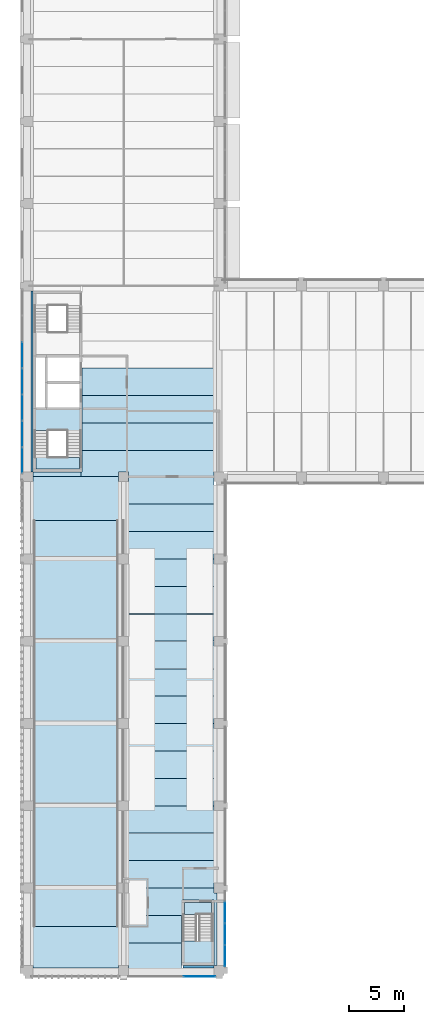
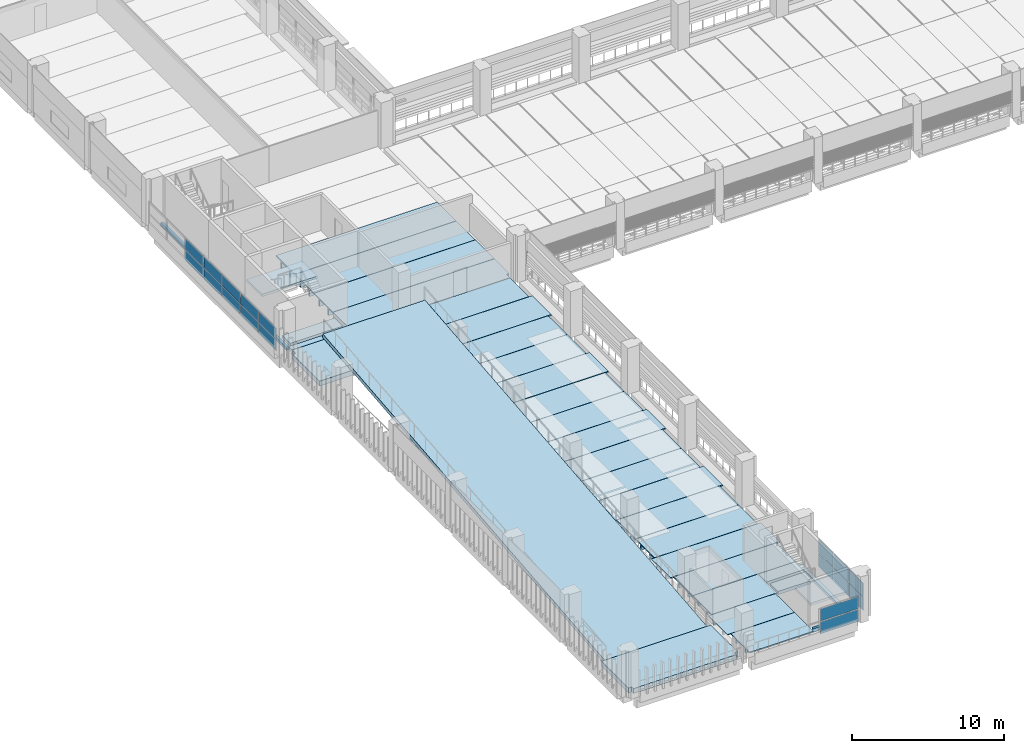
# One storey, part 21 of 57: 33 slabs, 18 plates, 5 elements without a shape of their own.
"""IFC4 building model written with IfcOpenShell, lengths in metres."""

from ifc_helpers import new_model, si_unit, direction, frame, origin, origin_2d, place, context, subcontext, project, spatial, polyline, rectangle, outline, extrude, material, layer, layer_set, material_profile, profile_set, type_object, element, aggregate, save


model = new_model("IFC4")

# Units and contexts
model_context = context("Model", 3, precision=1e-05, world=origin(), true_north=direction((0.0, 1.0)))
body_context = subcontext(model_context, "Body", "Model", "MODEL_VIEW")
ifc_project = project(units=[si_unit("LENGTHUNIT", "METRE"), si_unit("AREAUNIT", "SQUARE_METRE"), si_unit("VOLUMEUNIT", "CUBIC_METRE"), si_unit("PLANEANGLEUNIT", "RADIAN"), si_unit("MASSUNIT", "GRAM", prefix="KILO")], contexts=[model_context])

# Site, building, storey
site_placement = place(None, origin())
site = spatial("IfcSite", under=ifc_project, at=site_placement, CompositionType="ELEMENT")
building_placement = place(site_placement, origin())
building = spatial("IfcBuilding", under=site, at=building_placement, Name="Cour d'Honneur Mobility Palace", CompositionType="ELEMENT")
storey_placement = place(building_placement, frame((0.0, 0.0, 8.199951171875)))
storey = spatial("IfcBuildingStorey", under=building, at=storey_placement, Name="L02", CompositionType="ELEMENT", Elevation=8.199951171875)

# Slabs
ifc_material_1 = material(Name="Concrete C50", Category="concrete")
ifc_layer_1 = layer(ifc_material_1, 0.25)
ifc_layer_set_1 = layer_set([ifc_layer_1], Name="Concrete C50")
slab_type_1 = type_object("IfcSlabType", Name="Cast-in-place Slab 250", PredefinedType="FLOOR", material=ifc_layer_set_1)
slab_1_placement = place(storey_placement, frame((0.0, 0.0, -0.25)))
element("IfcSlab", 1, at=slab_1_placement, inside=storey, type_object=slab_type_1, Name="Cast-in-place slab S1 L02 core", PredefinedType="FLOOR", context=body_context, shape_type="SweptSolid", body=[
    extrude(outline(polyline([(0.449951171875, 45.449951171875), (4.800048828125, 45.449951171875), (4.800048828125, 45.0), (0.449951171875, 45.0), (0.449951171875, 45.449951171875)])), origin(), (0.0, 0.0, 1.0), 0.25),
])
slab_2_placement = place(storey_placement, frame((0.0, 0.0, -0.25)))
element("IfcSlab", 2, at=slab_2_placement, inside=storey, type_object=slab_type_1, Name="Cast-in-place slab S1 L02 core", PredefinedType="FLOOR", context=body_context, shape_type="SweptSolid", body=[
    extrude(outline(polyline([(0.449951171875, 61.949951171875), (0.449951171875, 45.449951171875), (0.25, 45.449951171875), (0.25, 61.949951171875), (0.449951171875, 61.949951171875)])), origin(), (0.0, 0.0, 1.0), 0.25),
])
slab_3_placement = place(storey_placement, frame((0.0, 0.0, -0.25)))
element("IfcSlab", 3, at=slab_3_placement, inside=storey, type_object=slab_type_1, Name="Cast-in-place slab S1 L02 core", PredefinedType="FLOOR", context=body_context, shape_type="SweptSolid", body=[
    extrude(outline(polyline([(0.699951171875, 45.699951171875), (0.699951171875, 46.77490234375), (4.675048828125, 46.77490234375), (4.675048828125, 45.699951171875), (0.699951171875, 45.699951171875)])), origin(), (0.0, 0.0, 1.0), 0.25),
])
slab_4_placement = place(storey_placement, frame((0.0, 0.0, -0.25)))
element("IfcSlab", 4, at=slab_4_placement, inside=storey, type_object=slab_type_1, Name="Cast-in-place slab S1 L02 stair strip", PredefinedType="FLOOR", context=body_context, shape_type="SweptSolid", body=[
    extrude(outline(polyline([(16.949951171875, 7.050048828125), (17.199951171875, 7.050048828125), (17.199951171875, 0.449951171875), (16.949951171875, 0.449951171875), (16.949951171875, 6.425048828125), (14.10009765625, 6.425048828125), (14.10009765625, 7.5), (16.949951171875, 7.5), (16.949951171875, 7.050048828125)])), origin(), (0.0, 0.0, 1.0), 0.25),
])
slab_5_placement = place(storey_placement, frame((0.0, 0.0, -0.25)))
element("IfcSlab", 5, at=slab_5_placement, inside=storey, type_object=slab_type_1, Name="Cast-in-place slab S1 L02 stair strip", PredefinedType="FLOOR", context=body_context, shape_type="SweptSolid", body=[
    extrude(outline(polyline([(16.949951171875, 0.22509765625), (14.10009765625, 0.22509765625), (14.10009765625, 0.449951171875), (16.949951171875, 0.449951171875), (16.949951171875, 0.22509765625)])), origin(), (0.0, 0.0, 1.0), 0.25),
])
slab_6_placement = place(storey_placement, frame((0.0, 0.0, -0.25)))
element("IfcSlab", 6, at=slab_6_placement, inside=storey, type_object=slab_type_1, Name="Cast-in-place slab S1 L02 stair strip", PredefinedType="FLOOR", context=body_context, shape_type="SweptSolid", body=[
    extrude(outline(polyline([(14.22509765625, 5.10009765625), (14.22509765625, 6.175048828125), (16.699951171875, 6.175048828125), (16.699951171875, 5.10009765625), (14.22509765625, 5.10009765625)])), origin(), (0.0, 0.0, 1.0), 0.25),
])
ifc_material_2 = material(Name="Concrete C50", Category="concrete")
ifc_layer_2 = layer(ifc_material_2, 0.39990234375)
ifc_layer_set_2 = layer_set([ifc_layer_2], Name="Concrete C50")
slab_type_2 = type_object("IfcSlabType", Name="Cast-in-place Slab 400", PredefinedType="LANDING", material=ifc_layer_set_2)
slab_7_placement = place(storey_placement, frame((0.0, 0.0, -0.39990234375)))
element("IfcSlab", 7, at=slab_7_placement, inside=storey, type_object=slab_type_2, Name="Cast-in-place slab S3 L02 landing", PredefinedType="LANDING", context=body_context, shape_type="SweptSolid", body=[
    extrude(outline(polyline([(8.25, 0.449951171875), (8.25, 0.22509765625), (0.449951171875, 0.22509765625), (0.449951171875, 0.449951171875), (0.199951171875, 0.449951171875), (0.199951171875, 4.0), (8.5, 4.0), (8.5, 0.449951171875), (8.25, 0.449951171875)])), origin(), (0.0, 0.0, 1.0), 0.39990234375),
])
slab_8_placement = place(storey_placement, frame((0.0, 0.0, -0.39990234375)))
element("IfcSlab", 8, at=slab_8_placement, inside=storey, type_object=slab_type_2, Name="Cast-in-place slab S3 L02 landing", PredefinedType="LANDING", context=body_context, shape_type="SweptSolid", body=[
    extrude(outline(polyline([(8.5, 44.550048828125), (8.5, 41.0), (0.199951171875, 41.0), (0.199951171875, 44.550048828125), (0.449951171875, 44.550048828125), (0.449951171875, 45.0), (8.25, 45.0), (8.25, 44.550048828125), (8.5, 44.550048828125)])), origin(), (0.0, 0.0, 1.0), 0.39990234375),
])
ifc_material_3 = material(Name="Concrete C50", Category="concrete")
ifc_layer_3 = layer(ifc_material_3, 0.800048828125)
ifc_layer_set_3 = layer_set([ifc_layer_3], Name="Concrete C50")
slab_type_3 = type_object("IfcSlabType", Name="Cast-in-place Slab 800", PredefinedType="FLOOR", material=ifc_layer_set_3)
slab_9_placement = place(storey_placement, frame((0.0, 0.0, -0.800048828125)))
element("IfcSlab", 9, at=slab_9_placement, inside=storey, type_object=slab_type_3, Name="Cast-in-place slab S2 L02 closure", PredefinedType="FLOOR", context=body_context, shape_type="SweptSolid", body=[
    extrude(outline(polyline([(16.949951171875, 45.449951171875), (16.949951171875, 45.0), (9.14990234375, 45.0), (9.14990234375, 45.449951171875), (8.25, 45.449951171875), (8.25, 45.0), (4.800048828125, 45.0), (4.800048828125, 45.449951171875), (4.925048828125, 45.449951171875), (4.925048828125, 47.39990234375), (17.14990234375, 47.39990234375), (17.14990234375, 45.449951171875), (16.949951171875, 45.449951171875)])), origin(), (0.0, 0.0, 1.0), 0.800048828125),
])

# Curtain wall, plates
ifc_material_4 = material(Name="Aluminium and glass", Category="aluminium")
ifc_layer_4 = layer(ifc_material_4, 0.10009765625)
ifc_layer_set_4 = layer_set([ifc_layer_4], Name="Aluminium and glass")
curtain_wall_type = type_object("IfcCurtainWallType", Name="Curtain wall run", PredefinedType="NOTDEFINED", material=ifc_layer_set_4)
curtain_wall_1_placement = place(storey_placement, origin())
curtain_wall_1 = element("IfcCurtainWall", 10, at=curtain_wall_1_placement, inside=storey, type_object=curtain_wall_type, Name="Curtain wall CW-101", PredefinedType="NOTDEFINED")
ifc_material_5 = material(Name="Double glazing", Category="glass")
ifc_layer_5 = layer(ifc_material_5, 0.028076171875)
ifc_layer_set_5 = layer_set([ifc_layer_5], Name="Double glazing")
plate_type = type_object("IfcPlateType", Name="Curtain wall panel", PredefinedType="CURTAIN_PANEL", material=ifc_layer_set_5)
plate_1_placement = place(storey_placement, frame((-0.550048828125, 56.10009765625, 0.06005859375), z_axis=(0.0, 0.0, 1.0), x_axis=(0.0, -1.0, 0.0)))
plate_1 = element("IfcPlate", 11, at=plate_1_placement, type_object=plate_type, Name="CW-101 panel 3.1", PredefinedType="CURTAIN_PANEL", context=body_context, shape_type="SweptSolid", body=[
    extrude(rectangle(XDim=2.340087890625, YDim=0.028076171875, at=origin_2d()), origin(), (0.0, 0.0, 1.0), 0.860107421875),
])
plate_2_placement = place(storey_placement, frame((-0.550048828125, 56.10009765625, 0.97998046875), z_axis=(0.0, 0.0, 1.0), x_axis=(0.0, -1.0, 0.0)))
plate_2 = element("IfcPlate", 12, at=plate_2_placement, type_object=plate_type, Name="CW-101 panel 3.2", PredefinedType="CURTAIN_PANEL", context=body_context, shape_type="SweptSolid", body=[
    extrude(rectangle(XDim=2.340087890625, YDim=0.028076171875, at=origin_2d()), origin(), (0.0, 0.0, 1.0), 0.860107421875),
])
plate_3_placement = place(storey_placement, frame((-0.550048828125, 53.699951171875, 0.06005859375), z_axis=(0.0, 0.0, 1.0), x_axis=(0.0, -1.0, 0.0)))
plate_3 = element("IfcPlate", 13, at=plate_3_placement, type_object=plate_type, Name="CW-101 panel 4.1", PredefinedType="CURTAIN_PANEL", context=body_context, shape_type="SweptSolid", body=[
    extrude(rectangle(XDim=2.340087890625, YDim=0.028076171875, at=origin_2d()), origin(), (0.0, 0.0, 1.0), 0.860107421875),
])
plate_4_placement = place(storey_placement, frame((-0.550048828125, 53.699951171875, 0.97998046875), z_axis=(0.0, 0.0, 1.0), x_axis=(0.0, -1.0, 0.0)))
plate_4 = element("IfcPlate", 14, at=plate_4_placement, type_object=plate_type, Name="CW-101 panel 4.2", PredefinedType="CURTAIN_PANEL", context=body_context, shape_type="SweptSolid", body=[
    extrude(rectangle(XDim=2.340087890625, YDim=0.028076171875, at=origin_2d()), origin(), (0.0, 0.0, 1.0), 0.860107421875),
])
plate_5_placement = place(storey_placement, frame((-0.550048828125, 51.300048828125, 0.06005859375), z_axis=(0.0, 0.0, 1.0), x_axis=(0.0, -1.0, 0.0)))
plate_5 = element("IfcPlate", 15, at=plate_5_placement, type_object=plate_type, Name="CW-101 panel 5.1", PredefinedType="CURTAIN_PANEL", context=body_context, shape_type="SweptSolid", body=[
    extrude(rectangle(XDim=2.340087890625, YDim=0.028076171875, at=origin_2d()), origin(), (0.0, 0.0, 1.0), 0.860107421875),
])
plate_6_placement = place(storey_placement, frame((-0.550048828125, 51.300048828125, 0.97998046875), z_axis=(0.0, 0.0, 1.0), x_axis=(0.0, -1.0, 0.0)))
plate_6 = element("IfcPlate", 16, at=plate_6_placement, type_object=plate_type, Name="CW-101 panel 5.2", PredefinedType="CURTAIN_PANEL", context=body_context, shape_type="SweptSolid", body=[
    extrude(rectangle(XDim=2.340087890625, YDim=0.028076171875, at=origin_2d()), origin(), (0.0, 0.0, 1.0), 0.860107421875),
])
plate_7_placement = place(storey_placement, frame((-0.550048828125, 48.89990234375, 0.06005859375), z_axis=(0.0, 0.0, 1.0), x_axis=(0.0, -1.0, 0.0)))
plate_7 = element("IfcPlate", 17, at=plate_7_placement, type_object=plate_type, Name="CW-101 panel 6.1", PredefinedType="CURTAIN_PANEL", context=body_context, shape_type="SweptSolid", body=[
    extrude(rectangle(XDim=2.340087890625, YDim=0.028076171875, at=origin_2d()), origin(), (0.0, 0.0, 1.0), 0.860107421875),
])
plate_8_placement = place(storey_placement, frame((-0.550048828125, 48.89990234375, 0.97998046875), z_axis=(0.0, 0.0, 1.0), x_axis=(0.0, -1.0, 0.0)))
plate_8 = element("IfcPlate", 18, at=plate_8_placement, type_object=plate_type, Name="CW-101 panel 6.2", PredefinedType="CURTAIN_PANEL", context=body_context, shape_type="SweptSolid", body=[
    extrude(rectangle(XDim=2.340087890625, YDim=0.028076171875, at=origin_2d()), origin(), (0.0, 0.0, 1.0), 0.860107421875),
])
plate_9_placement = place(storey_placement, frame((-0.550048828125, 46.514892578125, 0.06005859375), z_axis=(0.0, 0.0, 1.0), x_axis=(0.0, -1.0, 0.0)))
plate_9 = element("IfcPlate", 19, at=plate_9_placement, type_object=plate_type, Name="CW-101 panel 7.1", PredefinedType="CURTAIN_PANEL", context=body_context, shape_type="SweptSolid", body=[
    extrude(rectangle(XDim=2.31005859375, YDim=0.028076171875, at=origin_2d()), origin(), (0.0, 0.0, 1.0), 0.860107421875),
])
plate_10_placement = place(storey_placement, frame((-0.550048828125, 46.514892578125, 0.97998046875), z_axis=(0.0, 0.0, 1.0), x_axis=(0.0, -1.0, 0.0)))
plate_10 = element("IfcPlate", 20, at=plate_10_placement, type_object=plate_type, Name="CW-101 panel 7.2", PredefinedType="CURTAIN_PANEL", context=body_context, shape_type="SweptSolid", body=[
    extrude(rectangle(XDim=2.31005859375, YDim=0.028076171875, at=origin_2d()), origin(), (0.0, 0.0, 1.0), 0.860107421875),
])
aggregate(curtain_wall_1, [plate_1, plate_2, plate_3, plate_4, plate_5, plate_6, plate_7, plate_8, plate_9, plate_10])

curtain_wall_2_placement = place(storey_placement, origin())
curtain_wall_2 = element("IfcCurtainWall", 21, at=curtain_wall_2_placement, inside=storey, type_object=curtain_wall_type, Name="Curtain wall CW-155", PredefinedType="NOTDEFINED")
plate_11_placement = place(storey_placement, frame((15.60009765625, -0.550048828125, 0.06005859375), z_axis=(0.0, 0.0, 1.0), x_axis=(1.0, 0.0, 0.0)))
plate_11 = element("IfcPlate", 22, at=plate_11_placement, type_object=plate_type, Name="CW-155 panel 1.1", PredefinedType="CURTAIN_PANEL", context=body_context, shape_type="SweptSolid", body=[
    extrude(rectangle(XDim=2.8798828125, YDim=0.028076171875, at=origin_2d()), origin(), (0.0, 0.0, 1.0), 0.9599609375),
])
plate_12_placement = place(storey_placement, frame((15.60009765625, -0.550048828125, 1.080078125), z_axis=(0.0, 0.0, 1.0), x_axis=(1.0, 0.0, 0.0)))
plate_12 = element("IfcPlate", 23, at=plate_12_placement, type_object=plate_type, Name="CW-155 panel 1.2", PredefinedType="CURTAIN_PANEL", context=body_context, shape_type="SweptSolid", body=[
    extrude(rectangle(XDim=2.8798828125, YDim=0.028076171875, at=origin_2d()), origin(), (0.0, 0.0, 1.0), 0.9599609375),
])
aggregate(curtain_wall_2, [plate_11, plate_12])

curtain_wall_3_placement = place(storey_placement, origin())
curtain_wall_3 = element("IfcCurtainWall", 24, at=curtain_wall_3_placement, inside=storey, type_object=curtain_wall_type, Name="Curtain wall CW-156", PredefinedType="NOTDEFINED")
plate_13_placement = place(storey_placement, frame((17.949951171875, 1.31494140625, 0.06005859375), z_axis=(0.0, 0.0, 1.0), x_axis=(0.0, 1.0, 0.0)))
plate_13 = element("IfcPlate", 25, at=plate_13_placement, type_object=plate_type, Name="CW-156 panel 1.1", PredefinedType="CURTAIN_PANEL", context=body_context, shape_type="SweptSolid", body=[
    extrude(rectangle(XDim=1.909912109375, YDim=0.028076171875, at=origin_2d()), origin(), (0.0, 0.0, 1.0), 1.06005859375),
])
plate_14_placement = place(storey_placement, frame((17.949951171875, 1.31494140625, 1.179931640625), z_axis=(0.0, 0.0, 1.0), x_axis=(0.0, 1.0, 0.0)))
plate_14 = element("IfcPlate", 26, at=plate_14_placement, type_object=plate_type, Name="CW-156 panel 1.2", PredefinedType="CURTAIN_PANEL", context=body_context, shape_type="SweptSolid", body=[
    extrude(rectangle(XDim=1.909912109375, YDim=0.028076171875, at=origin_2d()), origin(), (0.0, 0.0, 1.0), 1.06005859375),
])
plate_15_placement = place(storey_placement, frame((17.949951171875, 3.300048828125, 0.06005859375), z_axis=(0.0, 0.0, 1.0), x_axis=(0.0, 1.0, 0.0)))
plate_15 = element("IfcPlate", 27, at=plate_15_placement, type_object=plate_type, Name="CW-156 panel 2.1", PredefinedType="CURTAIN_PANEL", context=body_context, shape_type="SweptSolid", body=[
    extrude(rectangle(XDim=1.93994140625, YDim=0.028076171875, at=origin_2d()), origin(), (0.0, 0.0, 1.0), 1.06005859375),
])
plate_16_placement = place(storey_placement, frame((17.949951171875, 3.300048828125, 1.179931640625), z_axis=(0.0, 0.0, 1.0), x_axis=(0.0, 1.0, 0.0)))
plate_16 = element("IfcPlate", 28, at=plate_16_placement, type_object=plate_type, Name="CW-156 panel 2.2", PredefinedType="CURTAIN_PANEL", context=body_context, shape_type="SweptSolid", body=[
    extrude(rectangle(XDim=1.93994140625, YDim=0.028076171875, at=origin_2d()), origin(), (0.0, 0.0, 1.0), 1.06005859375),
])
plate_17_placement = place(storey_placement, frame((17.949951171875, 5.284912109375, 0.06005859375), z_axis=(0.0, 0.0, 1.0), x_axis=(0.0, 1.0, 0.0)))
plate_17 = element("IfcPlate", 29, at=plate_17_placement, type_object=plate_type, Name="CW-156 panel 3.1", PredefinedType="CURTAIN_PANEL", context=body_context, shape_type="SweptSolid", body=[
    extrude(rectangle(XDim=1.909912109375, YDim=0.028076171875, at=origin_2d()), origin(), (0.0, 0.0, 1.0), 1.06005859375),
])
plate_18_placement = place(storey_placement, frame((17.949951171875, 5.284912109375, 1.179931640625), z_axis=(0.0, 0.0, 1.0), x_axis=(0.0, 1.0, 0.0)))
plate_18 = element("IfcPlate", 30, at=plate_18_placement, type_object=plate_type, Name="CW-156 panel 3.2", PredefinedType="CURTAIN_PANEL", context=body_context, shape_type="SweptSolid", body=[
    extrude(rectangle(XDim=1.909912109375, YDim=0.028076171875, at=origin_2d()), origin(), (0.0, 0.0, 1.0), 1.06005859375),
])
aggregate(curtain_wall_3, [plate_13, plate_14, plate_15, plate_16, plate_17, plate_18])

# Slabs
ifc_material_6 = material(Name="Concrete C45", Category="concrete")
ifc_material_profile_1 = material_profile(ifc_material_6, outline(polyline([(-1.2451171875, 0.0), (1.2451171875, 0.0), (1.2451171875, -0.074951171875), (0.659912109375, -0.074951171875), (0.639892578125, -0.39990234375), (0.56005859375, -0.39990234375), (0.5400390625, -0.074951171875), (-0.5400390625, -0.074951171875), (-0.56005859375, -0.39990234375), (-0.639892578125, -0.39990234375), (-0.659912109375, -0.074951171875), (-1.2451171875, -0.074951171875), (-1.2451171875, 0.0)])), Name="DT 2490x400")
ifc_profile_set_1 = profile_set([ifc_material_profile_1], Name="Concrete C45")
slab_type_4 = type_object("IfcSlabType", Name="DT 2490x400", PredefinedType="FLOOR", material=ifc_profile_set_1)
slab_10_placement = place(storey_placement, frame((9.14990234375, 1.25, 0.0), z_axis=(1.0, 0.0, 0.0), x_axis=(0.0, 1.0, 0.0)))
element("IfcSlab", 31, at=slab_10_placement, inside=storey, type_object=slab_type_4, Name="Double tee DT-SW1 L02", PredefinedType="FLOOR", context=body_context, shape_type="SweptSolid", body=[
    extrude(outline(polyline([(-1.2451171875, 0.0), (1.2451171875, 0.0), (1.2451171875, -0.074951171875), (0.659912109375, -0.074951171875), (0.639892578125, -0.39990234375), (0.56005859375, -0.39990234375), (0.5400390625, -0.074951171875), (-0.5400390625, -0.074951171875), (-0.56005859375, -0.39990234375), (-0.639892578125, -0.39990234375), (-0.659912109375, -0.074951171875), (-1.2451171875, -0.074951171875), (-1.2451171875, 0.0)])), origin(), (0.0, 0.0, 1.0), 4.8251953125),
])
slab_11_placement = place(storey_placement, frame((8.89990234375, 3.75, 0.0), z_axis=(1.0, 0.0, 0.0), x_axis=(0.0, 1.0, 0.0)))
element("IfcSlab", 32, at=slab_11_placement, inside=storey, type_object=slab_type_4, Name="Double tee DT-SW2 L02", PredefinedType="FLOOR", context=body_context, shape_type="SweptSolid", body=[
    extrude(outline(polyline([(-1.2451171875, 0.0), (1.2451171875, 0.0), (1.2451171875, -0.074951171875), (0.659912109375, -0.074951171875), (0.639892578125, -0.39990234375), (0.56005859375, -0.39990234375), (0.5400390625, -0.074951171875), (-0.5400390625, -0.074951171875), (-0.56005859375, -0.39990234375), (-0.639892578125, -0.39990234375), (-0.659912109375, -0.074951171875), (-1.2451171875, -0.074951171875), (-1.2451171875, 0.0)])), origin(), (0.0, 0.0, 1.0), 5.0751953125),
])
slab_12_placement = place(storey_placement, frame((9.14990234375, 6.25, 0.0), z_axis=(1.0, 0.0, 0.0), x_axis=(0.0, 1.0, 0.0)))
element("IfcSlab", 33, at=slab_12_placement, inside=storey, type_object=slab_type_4, Name="Double tee DT-SW3 L02", PredefinedType="FLOOR", context=body_context, shape_type="SweptSolid", body=[
    extrude(outline(polyline([(-1.2451171875, 0.0), (1.2451171875, 0.0), (1.2451171875, -0.074951171875), (0.659912109375, -0.074951171875), (0.639892578125, -0.39990234375), (0.56005859375, -0.39990234375), (0.5400390625, -0.074951171875), (-0.5400390625, -0.074951171875), (-0.56005859375, -0.39990234375), (-0.639892578125, -0.39990234375), (-0.659912109375, -0.074951171875), (-1.2451171875, -0.074951171875), (-1.2451171875, 0.0)])), origin(), (0.0, 0.0, 1.0), 4.9501953125),
])
ifc_material_7 = material(Name="Concrete C45", Category="concrete")
ifc_material_profile_2 = material_profile(ifc_material_7, outline(polyline([(-1.2451171875, 0.0), (1.2451171875, 0.0), (1.2451171875, -0.10009765625), (0.669921875, -0.10009765625), (0.64501953125, -0.5), (0.554931640625, -0.5), (0.530029296875, -0.10009765625), (-0.530029296875, -0.10009765625), (-0.554931640625, -0.5), (-0.64501953125, -0.5), (-0.669921875, -0.10009765625), (-1.2451171875, -0.10009765625), (-1.2451171875, 0.0)])), Name="DT 2490x500")
ifc_profile_set_2 = profile_set([ifc_material_profile_2], Name="Concrete C45")
slab_type_5 = type_object("IfcSlabType", Name="DT 2490x500", PredefinedType="FLOOR", material=ifc_profile_set_2)
slab_13_placement = place(storey_placement, frame((9.14990234375, 8.75, 0.0), z_axis=(1.0, 0.0, 0.0), x_axis=(0.0, 1.0, 0.0)))
element("IfcSlab", 34, at=slab_13_placement, inside=storey, type_object=slab_type_5, Name="Double tee DT-SW4 L02", PredefinedType="FLOOR", context=body_context, shape_type="SweptSolid", body=[
    extrude(outline(polyline([(-1.2451171875, 0.0), (1.2451171875, 0.0), (1.2451171875, -0.10009765625), (0.669921875, -0.10009765625), (0.64501953125, -0.5), (0.554931640625, -0.5), (0.530029296875, -0.10009765625), (-0.530029296875, -0.10009765625), (-0.554931640625, -0.5), (-0.64501953125, -0.5), (-0.669921875, -0.10009765625), (-1.2451171875, -0.10009765625), (-1.2451171875, 0.0)])), origin(), (0.0, 0.0, 1.0), 7.800048828125),
])
slab_14_placement = place(storey_placement, frame((8.89990234375, 11.25, 0.0), z_axis=(1.0, 0.0, 0.0), x_axis=(0.0, 1.0, 0.0)))
element("IfcSlab", 35, at=slab_14_placement, inside=storey, type_object=slab_type_5, Name="Double tee DT-SW5 L02", PredefinedType="FLOOR", context=body_context, shape_type="SweptSolid", body=[
    extrude(outline(polyline([(-1.2451171875, 0.0), (1.2451171875, 0.0), (1.2451171875, -0.10009765625), (0.669921875, -0.10009765625), (0.64501953125, -0.5), (0.554931640625, -0.5), (0.530029296875, -0.10009765625), (-0.530029296875, -0.10009765625), (-0.554931640625, -0.5), (-0.64501953125, -0.5), (-0.669921875, -0.10009765625), (-1.2451171875, -0.10009765625), (-1.2451171875, 0.0)])), origin(), (0.0, 0.0, 1.0), 8.300048828125),
])
for number, where, z_axis, x_axis, name in (
    (36, (9.14990234375, 13.75, 0.0), (1.0, 0.0, 0.0), (0.0, 1.0, 0.0), "Double tee DT-SW6 L02"),
    (37, (9.14990234375, 16.25, 0.0), (1.0, 0.0, 0.0), (0.0, 1.0, 0.0), "Double tee DT-SW7 L02"),
):
    element("IfcSlab", number, at=place(storey_placement, frame(where, z_axis=z_axis, x_axis=x_axis)), inside=storey, type_object=slab_type_5, Name=name, PredefinedType="FLOOR", context=body_context, shape_type="SweptSolid", body=[
        extrude(outline(polyline([(-1.2451171875, 0.0), (1.2451171875, 0.0), (1.2451171875, -0.10009765625), (0.669921875, -0.10009765625), (0.64501953125, -0.5), (0.554931640625, -0.5), (0.530029296875, -0.10009765625), (-0.530029296875, -0.10009765625), (-0.554931640625, -0.5), (-0.64501953125, -0.5), (-0.669921875, -0.10009765625), (-1.2451171875, -0.10009765625), (-1.2451171875, 0.0)])), origin(), (0.0, 0.0, 1.0), 7.800048828125),
    ])
slab_15_placement = place(storey_placement, frame((8.89990234375, 18.75, 0.0), z_axis=(1.0, 0.0, 0.0), x_axis=(0.0, 1.0, 0.0)))
element("IfcSlab", 38, at=slab_15_placement, inside=storey, type_object=slab_type_5, Name="Double tee DT-SW8 L02", PredefinedType="FLOOR", context=body_context, shape_type="SweptSolid", body=[
    extrude(outline(polyline([(-1.2451171875, 0.0), (1.2451171875, 0.0), (1.2451171875, -0.10009765625), (0.669921875, -0.10009765625), (0.64501953125, -0.5), (0.554931640625, -0.5), (0.530029296875, -0.10009765625), (-0.530029296875, -0.10009765625), (-0.554931640625, -0.5), (-0.64501953125, -0.5), (-0.669921875, -0.10009765625), (-1.2451171875, -0.10009765625), (-1.2451171875, 0.0)])), origin(), (0.0, 0.0, 1.0), 8.300048828125),
])
for number, where, z_axis, x_axis, name in (
    (39, (9.14990234375, 21.25, 0.0), (1.0, 0.0, 0.0), (0.0, 1.0, 0.0), "Double tee DT-SW9 L02"),
    (40, (9.14990234375, 23.75, 0.0), (1.0, 0.0, 0.0), (0.0, 1.0, 0.0), "Double tee DT-SW10 L02"),
):
    element("IfcSlab", number, at=place(storey_placement, frame(where, z_axis=z_axis, x_axis=x_axis)), inside=storey, type_object=slab_type_5, Name=name, PredefinedType="FLOOR", context=body_context, shape_type="SweptSolid", body=[
        extrude(outline(polyline([(-1.2451171875, 0.0), (1.2451171875, 0.0), (1.2451171875, -0.10009765625), (0.669921875, -0.10009765625), (0.64501953125, -0.5), (0.554931640625, -0.5), (0.530029296875, -0.10009765625), (-0.530029296875, -0.10009765625), (-0.554931640625, -0.5), (-0.64501953125, -0.5), (-0.669921875, -0.10009765625), (-1.2451171875, -0.10009765625), (-1.2451171875, 0.0)])), origin(), (0.0, 0.0, 1.0), 7.800048828125),
    ])
slab_16_placement = place(storey_placement, frame((8.89990234375, 26.25, 0.0), z_axis=(1.0, 0.0, 0.0), x_axis=(0.0, 1.0, 0.0)))
element("IfcSlab", 41, at=slab_16_placement, inside=storey, type_object=slab_type_5, Name="Double tee DT-SW11 L02", PredefinedType="FLOOR", context=body_context, shape_type="SweptSolid", body=[
    extrude(outline(polyline([(-1.2451171875, 0.0), (1.2451171875, 0.0), (1.2451171875, -0.10009765625), (0.669921875, -0.10009765625), (0.64501953125, -0.5), (0.554931640625, -0.5), (0.530029296875, -0.10009765625), (-0.530029296875, -0.10009765625), (-0.554931640625, -0.5), (-0.64501953125, -0.5), (-0.669921875, -0.10009765625), (-1.2451171875, -0.10009765625), (-1.2451171875, 0.0)])), origin(), (0.0, 0.0, 1.0), 8.300048828125),
])
for number, where, z_axis, x_axis, name in (
    (42, (9.14990234375, 28.75, 0.0), (1.0, 0.0, 0.0), (0.0, 1.0, 0.0), "Double tee DT-SW12 L02"),
    (43, (9.14990234375, 31.25, 0.0), (1.0, 0.0, 0.0), (0.0, 1.0, 0.0), "Double tee DT-SW13 L02"),
):
    element("IfcSlab", number, at=place(storey_placement, frame(where, z_axis=z_axis, x_axis=x_axis)), inside=storey, type_object=slab_type_5, Name=name, PredefinedType="FLOOR", context=body_context, shape_type="SweptSolid", body=[
        extrude(outline(polyline([(-1.2451171875, 0.0), (1.2451171875, 0.0), (1.2451171875, -0.10009765625), (0.669921875, -0.10009765625), (0.64501953125, -0.5), (0.554931640625, -0.5), (0.530029296875, -0.10009765625), (-0.530029296875, -0.10009765625), (-0.554931640625, -0.5), (-0.64501953125, -0.5), (-0.669921875, -0.10009765625), (-1.2451171875, -0.10009765625), (-1.2451171875, 0.0)])), origin(), (0.0, 0.0, 1.0), 7.800048828125),
    ])
slab_17_placement = place(storey_placement, frame((8.89990234375, 33.75, 0.0), z_axis=(1.0, 0.0, 0.0), x_axis=(0.0, 1.0, 0.0)))
element("IfcSlab", 44, at=slab_17_placement, inside=storey, type_object=slab_type_5, Name="Double tee DT-SW14 L02", PredefinedType="FLOOR", context=body_context, shape_type="SweptSolid", body=[
    extrude(outline(polyline([(-1.2451171875, 0.0), (1.2451171875, 0.0), (1.2451171875, -0.10009765625), (0.669921875, -0.10009765625), (0.64501953125, -0.5), (0.554931640625, -0.5), (0.530029296875, -0.10009765625), (-0.530029296875, -0.10009765625), (-0.554931640625, -0.5), (-0.64501953125, -0.5), (-0.669921875, -0.10009765625), (-1.2451171875, -0.10009765625), (-1.2451171875, 0.0)])), origin(), (0.0, 0.0, 1.0), 8.300048828125),
])
for number, where, z_axis, x_axis, name in (
    (45, (9.14990234375, 36.25, 0.0), (1.0, 0.0, 0.0), (0.0, 1.0, 0.0), "Double tee DT-SW15 L02"),
    (46, (9.14990234375, 38.75, 0.0), (1.0, 0.0, 0.0), (0.0, 1.0, 0.0), "Double tee DT-SW16 L02"),
):
    element("IfcSlab", number, at=place(storey_placement, frame(where, z_axis=z_axis, x_axis=x_axis)), inside=storey, type_object=slab_type_5, Name=name, PredefinedType="FLOOR", context=body_context, shape_type="SweptSolid", body=[
        extrude(outline(polyline([(-1.2451171875, 0.0), (1.2451171875, 0.0), (1.2451171875, -0.10009765625), (0.669921875, -0.10009765625), (0.64501953125, -0.5), (0.554931640625, -0.5), (0.530029296875, -0.10009765625), (-0.530029296875, -0.10009765625), (-0.554931640625, -0.5), (-0.64501953125, -0.5), (-0.669921875, -0.10009765625), (-1.2451171875, -0.10009765625), (-1.2451171875, 0.0)])), origin(), (0.0, 0.0, 1.0), 7.800048828125),
    ])
slab_18_placement = place(storey_placement, frame((8.89990234375, 41.25, 0.0), z_axis=(1.0, 0.0, 0.0), x_axis=(0.0, 1.0, 0.0)))
element("IfcSlab", 47, at=slab_18_placement, inside=storey, type_object=slab_type_5, Name="Double tee DT-SW17 L02", PredefinedType="FLOOR", context=body_context, shape_type="SweptSolid", body=[
    extrude(outline(polyline([(-1.2451171875, 0.0), (1.2451171875, 0.0), (1.2451171875, -0.10009765625), (0.669921875, -0.10009765625), (0.64501953125, -0.5), (0.554931640625, -0.5), (0.530029296875, -0.10009765625), (-0.530029296875, -0.10009765625), (-0.554931640625, -0.5), (-0.64501953125, -0.5), (-0.669921875, -0.10009765625), (-1.2451171875, -0.10009765625), (-1.2451171875, 0.0)])), origin(), (0.0, 0.0, 1.0), 8.300048828125),
])
slab_19_placement = place(storey_placement, frame((9.14990234375, 43.75, 0.0), z_axis=(1.0, 0.0, 0.0), x_axis=(0.0, 1.0, 0.0)))
element("IfcSlab", 48, at=slab_19_placement, inside=storey, type_object=slab_type_5, Name="Double tee DT-SW18 L02", PredefinedType="FLOOR", context=body_context, shape_type="SweptSolid", body=[
    extrude(outline(polyline([(-1.2451171875, 0.0), (1.2451171875, 0.0), (1.2451171875, -0.10009765625), (0.669921875, -0.10009765625), (0.64501953125, -0.5), (0.554931640625, -0.5), (0.530029296875, -0.10009765625), (-0.530029296875, -0.10009765625), (-0.554931640625, -0.5), (-0.64501953125, -0.5), (-0.669921875, -0.10009765625), (-1.2451171875, -0.10009765625), (-1.2451171875, 0.0)])), origin(), (0.0, 0.0, 1.0), 7.800048828125),
])
ifc_material_8 = material(Name="Concrete C45", Category="concrete")
ifc_material_profile_3 = material_profile(ifc_material_8, outline(polyline([(-1.2451171875, 0.0), (1.2451171875, 0.0), (1.2451171875, -0.10009765625), (0.679931640625, -0.10009765625), (0.64990234375, -0.64990234375), (0.550048828125, -0.64990234375), (0.52001953125, -0.10009765625), (-0.52001953125, -0.10009765625), (-0.550048828125, -0.64990234375), (-0.64990234375, -0.64990234375), (-0.679931640625, -0.10009765625), (-1.2451171875, -0.10009765625), (-1.2451171875, 0.0)])), Name="DT 2490x650")
ifc_profile_set_3 = profile_set([ifc_material_profile_3], Name="Concrete C45")
slab_type_6 = type_object("IfcSlabType", Name="DT 2490x650", PredefinedType="FLOOR", material=ifc_profile_set_3)
for number, where, z_axis, x_axis, name in (
    (49, (4.925048828125, 48.64990234375, 0.0), (1.0, 0.0, 0.0), (0.0, 1.0, 0.0), "Double tee DT-JW1 L02"),
    (50, (4.925048828125, 51.14990234375, 0.0), (1.0, 0.0, 0.0), (0.0, 1.0, 0.0), "Double tee DT-JW2 L02"),
    (51, (4.925048828125, 53.64990234375, 0.0), (1.0, 0.0, 0.0), (0.0, 1.0, 0.0), "Double tee DT-JW3 L02"),
):
    element("IfcSlab", number, at=place(storey_placement, frame(where, z_axis=z_axis, x_axis=x_axis)), inside=storey, type_object=slab_type_6, Name=name, PredefinedType="FLOOR", context=body_context, shape_type="SweptSolid", body=[
        extrude(outline(polyline([(-1.2451171875, 0.0), (1.2451171875, 0.0), (1.2451171875, -0.10009765625), (0.679931640625, -0.10009765625), (0.64990234375, -0.64990234375), (0.550048828125, -0.64990234375), (0.52001953125, -0.10009765625), (-0.52001953125, -0.10009765625), (-0.550048828125, -0.64990234375), (-0.64990234375, -0.64990234375), (-0.679931640625, -0.10009765625), (-1.2451171875, -0.10009765625), (-1.2451171875, 0.0)])), origin(), (0.0, 0.0, 1.0), 12.224853515625),
    ])

# Stair, slab
ifc_material_9 = material(Name="Concrete C50", Category="concrete")
stair_type = type_object("IfcStairType", Name="Stair 20 risers", PredefinedType="HALF_TURN_STAIR", material=ifc_material_9)
stair_1_placement = place(storey_placement, origin())
stair_1 = element("IfcStair", 52, at=stair_1_placement, inside=storey, type_object=stair_type, Name="Stair ST-CW1", PredefinedType="HALF_TURN_STAIR")
ifc_material_10 = material(Name="Concrete C50", Category="concrete")
ifc_layer_6 = layer(ifc_material_10, 0.199951171875)
ifc_layer_set_6 = layer_set([ifc_layer_6], Name="Concrete C50")
slab_type_7 = type_object("IfcSlabType", Name="Stair landing", PredefinedType="LANDING", material=ifc_layer_set_6)
slab_20_placement = place(storey_placement, frame((0.0, 0.0, 1.650146484375)))
slab_20 = element("IfcSlab", 53, at=slab_20_placement, type_object=slab_type_7, Name="ST-CW1 landing 1", PredefinedType="LANDING", context=body_context, shape_type="SweptSolid", body=[
    extrude(outline(polyline([(0.574951171875, 49.205078125), (4.800048828125, 49.205078125), (4.800048828125, 51.199951171875), (0.574951171875, 51.199951171875), (0.574951171875, 49.205078125)])), origin(), (0.0, 0.0, 1.0), 0.199951171875),
])
aggregate(stair_1, [slab_20])

stair_2_placement = place(storey_placement, origin())
stair_2 = element("IfcStair", 54, at=stair_2_placement, inside=storey, type_object=stair_type, Name="Stair ST-RW1", PredefinedType="HALF_TURN_STAIR")
slab_21_placement = place(storey_placement, frame((0.0, 0.0, 1.650146484375)))
slab_21 = element("IfcSlab", 55, at=slab_21_placement, type_object=slab_type_7, Name="ST-RW1 landing 1", PredefinedType="LANDING", context=body_context, shape_type="SweptSolid", body=[
    extrude(outline(polyline([(14.10009765625, 0.574951171875), (16.824951171875, 0.574951171875), (16.824951171875, 2.669921875), (14.10009765625, 2.669921875), (14.10009765625, 0.574951171875)])), origin(), (0.0, 0.0, 1.0), 0.199951171875),
])
aggregate(stair_2, [slab_21])

# Slab
ifc_material_11 = material(Name="Concrete C45", Category="concrete")
ifc_layer_7 = layer(ifc_material_11, 0.300048828125)
ifc_layer_set_7 = layer_set([ifc_layer_7], Name="Concrete C45")
slab_type_8 = type_object("IfcSlabType", Name="Vehicle ramp slab 300", PredefinedType="USERDEFINED", material=ifc_layer_set_7)
slab_22_placement = place(storey_placement, frame((0.449951171875, 4.0, 0.0), z_axis=(0.0, -0.099502418892, 0.995037320222), x_axis=(1.0, 0.0, 0.0)))
element("IfcSlab", 56, at=slab_22_placement, inside=storey, type_object=slab_type_8, Name="Vehicle ramp West 3 slab", ObjectType="VEHICLE RAMP SLAB", PredefinedType="USERDEFINED", context=body_context, shape_type="SweptSolid", body=[
    extrude(outline(polyline([(0.0, 0.0), (7.75, 0.0), (7.75, 37.184534939599004), (0.0, 37.184534939599004), (0.0, 0.0)])), origin(), (0.0, 0.0, -1.0), 0.300048828125),
])

save(model, "model.ifc")
